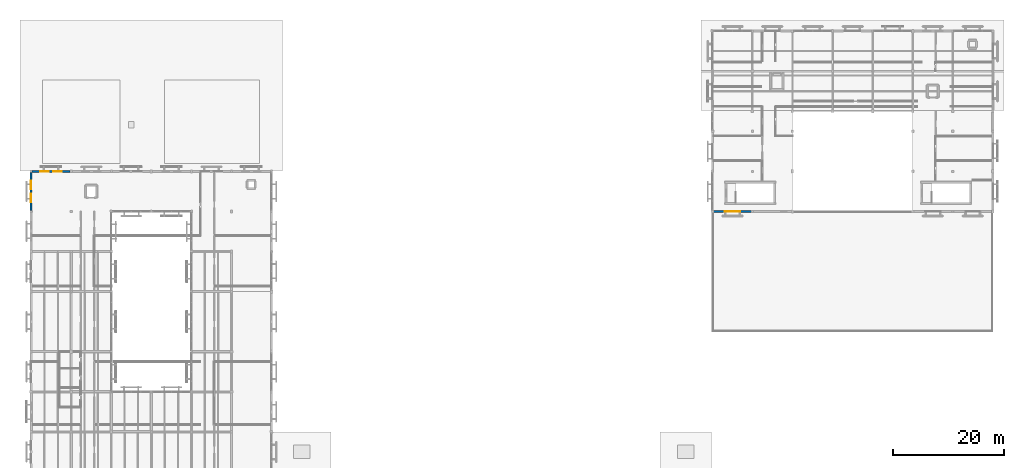
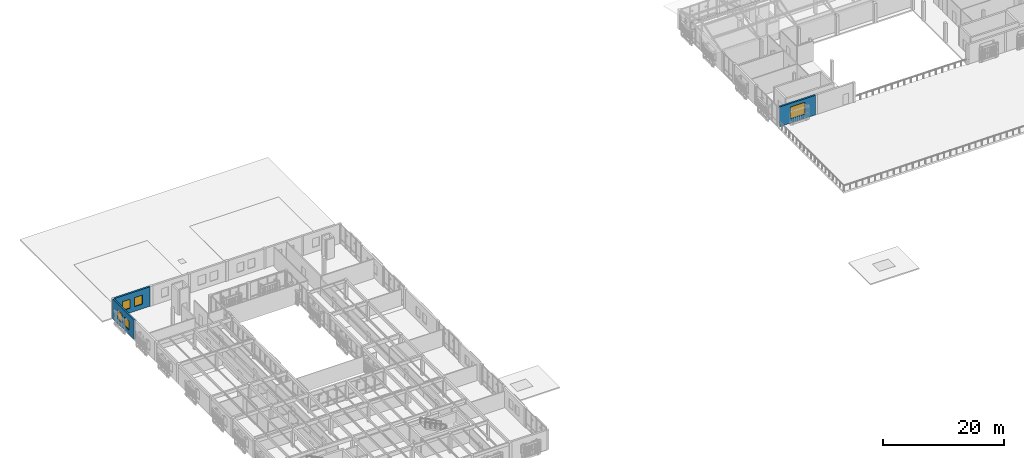
# One storey, part 49 of 61: 5 windows, 3 walls, 5 openings.
"""IFC4 building model written with IfcOpenShell, lengths in metres."""

from ifc_helpers import new_model, si_unit, direction, frame, frame_2d, origin, place, context, subcontext, project, spatial, rectangle, extrude, material, layer, layer_set, type_object, element, fill, save


model = new_model("IFC4")

# Units and contexts
model_context = context("Model", 3, precision=1e-05, world=origin(), true_north=direction((0.0, 1.0)))
body_context = subcontext(model_context, "Body", "Model", "MODEL_VIEW")
ifc_project = project(units=[si_unit("LENGTHUNIT", "METRE"), si_unit("AREAUNIT", "SQUARE_METRE"), si_unit("VOLUMEUNIT", "CUBIC_METRE"), si_unit("PLANEANGLEUNIT", "RADIAN"), si_unit("MASSUNIT", "GRAM", prefix="KILO")], contexts=[model_context])

# Site, building, storey
site_placement = place(None, origin())
site = spatial("IfcSite", under=ifc_project, at=site_placement, CompositionType="ELEMENT")
building_placement = place(site_placement, origin())
building = spatial("IfcBuilding", under=site, at=building_placement, Name="Mazaris Harbour Polytechnic", CompositionType="ELEMENT")
storey_placement = place(building_placement, frame((0.0, 0.0, 18.0)))
storey = spatial("IfcBuildingStorey", under=building, at=storey_placement, Name="L04", CompositionType="ELEMENT", Elevation=18.0)

# Wall, openings, windows
ifc_material_1 = material(Name="Algerian Buff Limestone and Mineral Wool", Category="masonry")
ifc_layer = layer(ifc_material_1, 0.330078125, Name="Algerian Buff Limestone and Mineral Wool")
ifc_layer_set = layer_set([ifc_layer], Name="Algerian Buff Limestone and Mineral Wool")
wall_type = type_object("IfcWallType", Name="Limestone Cavity Wall 330", PredefinedType="STANDARD", material=ifc_layer_set)
wall_1_placement = place(storey_placement, frame((0.181884765625, 75.60009765625, 0.0), z_axis=(0.0, 0.0, 1.0), x_axis=(1.0, 0.0, 0.0)))
wall_1 = element("IfcWall", 1, at=wall_1_placement, inside=storey, type_object=wall_type, Name="V4 L04 Exterior Wall 252", PredefinedType="STANDARD", context=body_context, shape_type="SweptSolid", body=[
    extrude(rectangle(XDim=6.796142578125, YDim=0.330078125, at=frame_2d((3.39794921875, 0.0))), origin(), (0.0, 0.0, 1.0), 3.93505859375),
])
opening_1_placement = place(wall_1_placement, frame((1.498046875, 0.0, 0.949951171875)))
opening_1 = element("IfcOpeningElement", 2, at=opening_1_placement, cuts=wall_1, Name="Opening WN-14", PredefinedType="OPENING", context=body_context, shape_type="SweptSolid", body=[
    extrude(rectangle(XDim=1.5, YDim=1.800048828125, at=frame_2d((0.75, 0.89990234375))), frame((0.0, 0.175048828125, 0.0), z_axis=(0.0, -1.0, 0.0), x_axis=(1.0, 0.0, 0.0)), (0.0, 0.0, 1.0), 0.35009765625),
])
opening_2_placement = place(wall_1_placement, frame((3.798095703125, 0.0, 0.949951171875)))
opening_2 = element("IfcOpeningElement", 3, at=opening_2_placement, cuts=wall_1, Name="Opening WN-14", PredefinedType="OPENING", context=body_context, shape_type="SweptSolid", body=[
    extrude(rectangle(XDim=1.5, YDim=1.800048828125, at=frame_2d((0.75, 0.89990234375))), frame((0.0, 0.175048828125, 0.0), z_axis=(0.0, -1.0, 0.0), x_axis=(1.0, 0.0, 0.0)), (0.0, 0.0, 1.0), 0.35009765625),
])
ifc_material_2 = material(Name="Thermally Broken Bronze Aluminium and Low-E Glass", Category="aluminium")
window_type_1 = type_object("IfcWindowType", Name="Attic Deep-Reveal Window 1500x1800", PartitioningType="DOUBLE_PANEL_VERTICAL", PredefinedType="WINDOW", material=ifc_material_2)
window_1_placement = place(opening_1_placement, origin())
window_1 = element("IfcWindow", 4, at=window_1_placement, inside=storey, type_object=window_type_1, Name="WN-0274", OverallHeight=1.800048828125, OverallWidth=1.5, PartitioningType="DOUBLE_PANEL_VERTICAL", PredefinedType="WINDOW", context=body_context, shape_type="SweptSolid", body=[
    extrude(rectangle(XDim=1.5, YDim=1.800048828125, at=frame_2d((0.75, 0.89990234375))), frame((0.0, 0.030029296875, 0.0), z_axis=(0.0, -1.0, 0.0), x_axis=(1.0, 0.0, 0.0)), (0.0, 0.0, 1.0), 0.06005859375),
])
fill(opening_1, window_1)
window_2_placement = place(opening_2_placement, origin())
window_2 = element("IfcWindow", 5, at=window_2_placement, inside=storey, type_object=window_type_1, Name="WN-0275", OverallHeight=1.800048828125, OverallWidth=1.5, PartitioningType="DOUBLE_PANEL_VERTICAL", PredefinedType="WINDOW", context=body_context, shape_type="SweptSolid", body=[
    extrude(rectangle(XDim=1.5, YDim=1.800048828125, at=frame_2d((0.75, 0.89990234375))), frame((0.0, 0.030029296875, 0.0), z_axis=(0.0, -1.0, 0.0), x_axis=(1.0, 0.0, 0.0)), (0.0, 0.0, 1.0), 0.06005859375),
])
fill(opening_2, window_2)

wall_2_placement = place(storey_placement, frame((0.0, 68.56201171875, 0.0), z_axis=(0.0, 0.0, 1.0), x_axis=(0.0, 1.0, 0.0)))
wall_2 = element("IfcWall", 6, at=wall_2_placement, inside=storey, type_object=wall_type, Name="V4 L04 Exterior Wall 266", PredefinedType="STANDARD", context=body_context, shape_type="SweptSolid", body=[
    extrude(rectangle(XDim=6.85595703125, YDim=0.330078125, at=frame_2d((3.427978515625, 0.0))), origin(), (0.0, 0.0, 1.0), 3.93505859375),
])
opening_3_placement = place(wall_2_placement, frame((1.528076171875, 0.0, 0.949951171875)))
opening_3 = element("IfcOpeningElement", 7, at=opening_3_placement, cuts=wall_2, Name="Opening WN-14", PredefinedType="OPENING", context=body_context, shape_type="SweptSolid", body=[
    extrude(rectangle(XDim=1.5, YDim=1.800048828125, at=frame_2d((0.75, 0.89990234375))), frame((0.0, 0.175048828125, 0.0), z_axis=(0.0, -1.0, 0.0), x_axis=(1.0, 0.0, 0.0)), (0.0, 0.0, 1.0), 0.35009765625),
])
opening_4_placement = place(wall_2_placement, frame((3.827880859375, 0.0, 0.949951171875)))
opening_4 = element("IfcOpeningElement", 8, at=opening_4_placement, cuts=wall_2, Name="Opening WN-14", PredefinedType="OPENING", context=body_context, shape_type="SweptSolid", body=[
    extrude(rectangle(XDim=1.5, YDim=1.800048828125, at=frame_2d((0.75, 0.89990234375))), frame((0.0, 0.175048828125, 0.0), z_axis=(0.0, -1.0, 0.0), x_axis=(1.0, 0.0, 0.0)), (0.0, 0.0, 1.0), 0.35009765625),
])
window_3_placement = place(opening_3_placement, origin())
window_3 = element("IfcWindow", 9, at=window_3_placement, inside=storey, type_object=window_type_1, Name="WN-0302", OverallHeight=1.800048828125, OverallWidth=1.5, PartitioningType="DOUBLE_PANEL_VERTICAL", PredefinedType="WINDOW", context=body_context, shape_type="SweptSolid", body=[
    extrude(rectangle(XDim=1.5, YDim=1.800048828125, at=frame_2d((0.75, 0.89990234375))), frame((0.0, 0.030029296875, 0.0), z_axis=(0.0, -1.0, 0.0), x_axis=(1.0, 0.0, 0.0)), (0.0, 0.0, 1.0), 0.06005859375),
])
fill(opening_3, window_3)
window_4_placement = place(opening_4_placement, origin())
window_4 = element("IfcWindow", 10, at=window_4_placement, inside=storey, type_object=window_type_1, Name="WN-0303", OverallHeight=1.800048828125, OverallWidth=1.5, PartitioningType="DOUBLE_PANEL_VERTICAL", PredefinedType="WINDOW", context=body_context, shape_type="SweptSolid", body=[
    extrude(rectangle(XDim=1.5, YDim=1.800048828125, at=frame_2d((0.75, 0.89990234375))), frame((0.0, 0.030029296875, 0.0), z_axis=(0.0, -1.0, 0.0), x_axis=(1.0, 0.0, 0.0)), (0.0, 0.0, 1.0), 0.06005859375),
])
fill(opening_4, window_4)

# Wall, opening, window
wall_3_placement = place(storey_placement, frame((129.43798828125, 68.39990234375, 0.0), z_axis=(0.0, 0.0, 1.0), x_axis=(-1.0, 0.0, 0.0)))
wall_3 = element("IfcWall", 11, at=wall_3_placement, inside=storey, type_object=wall_type, Name="V5 L04 Exterior Wall 376", PredefinedType="STANDARD", context=body_context, shape_type="SweptSolid", body=[
    extrude(rectangle(XDim=6.8359375, YDim=0.330078125, at=frame_2d((3.41796875, 0.0))), origin(), (0.0, 0.0, 1.0), 3.9599609375),
])
opening_5_placement = place(wall_3_placement, frame((2.01806640625, 0.0, 0.85009765625)))
opening_5 = element("IfcOpeningElement", 12, at=opening_5_placement, cuts=wall_3, Name="Opening WN-09", PredefinedType="OPENING", context=body_context, shape_type="SweptSolid", body=[
    extrude(rectangle(XDim=2.800048828125, YDim=2.39990234375, at=frame_2d((1.39990234375, 1.199951171875))), frame((0.0, 0.175048828125, 0.0), z_axis=(0.0, -1.0, 0.0), x_axis=(1.0, 0.0, 0.0)), (0.0, 0.0, 1.0), 0.35009765625),
])
ifc_material_3 = material(Name="Thermally Broken Bronze Aluminium and Low-E Glass", Category="aluminium")
window_type_2 = type_object("IfcWindowType", Name="Studio North Window 2800x2400", PartitioningType="DOUBLE_PANEL_VERTICAL", PredefinedType="WINDOW", material=ifc_material_3)
window_5_placement = place(opening_5_placement, origin())
window_5 = element("IfcWindow", 13, at=window_5_placement, inside=storey, type_object=window_type_2, Name="WN-0438", OverallHeight=2.39990234375, OverallWidth=2.800048828125, PartitioningType="DOUBLE_PANEL_VERTICAL", PredefinedType="WINDOW", context=body_context, shape_type="SweptSolid", body=[
    extrude(rectangle(XDim=2.800048828125, YDim=2.39990234375, at=frame_2d((1.39990234375, 1.199951171875))), frame((0.0, 0.030029296875, 0.0), z_axis=(0.0, -1.0, 0.0), x_axis=(1.0, 0.0, 0.0)), (0.0, 0.0, 1.0), 0.06005859375),
])
fill(opening_5, window_5)

save(model, "model.ifc")
